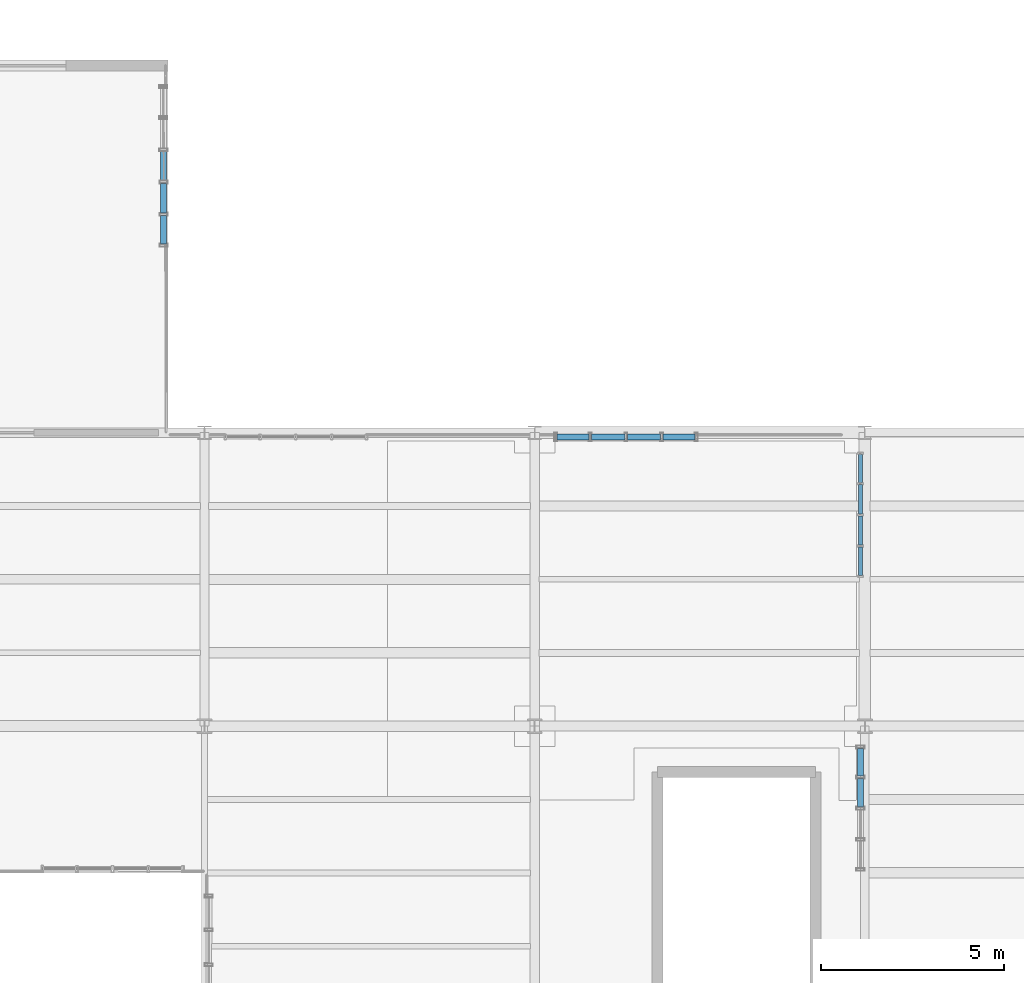
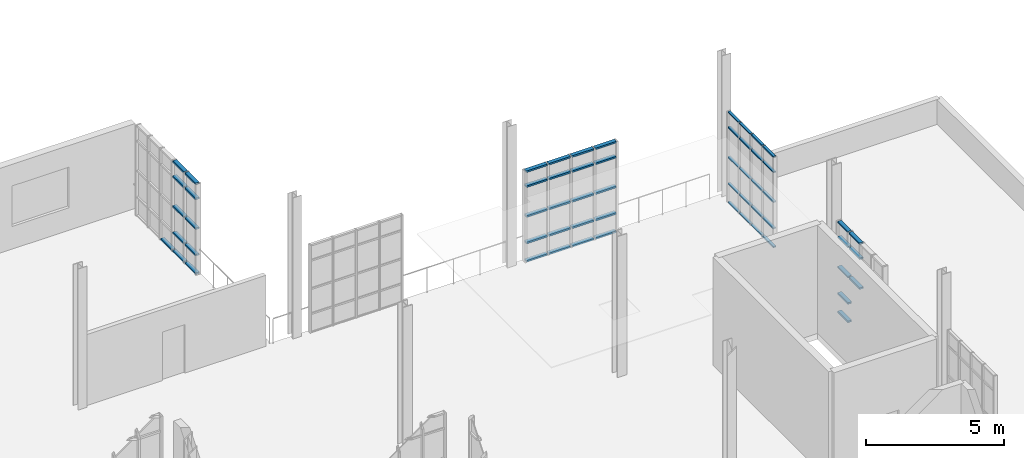
# One storey, part 82 of 118: 59 members, 4 elements without a shape of their own.
"""IFC4 building model written with IfcOpenShell, lengths in metres."""

from ifc_helpers import new_model, si_unit, direction, frame, origin, origin_2d, place, context, subcontext, project, spatial, hollow_rectangle, extrude, material, layer, layer_set, material_profile, profile_set, type_object, element, aggregate, save


model = new_model("IFC4")

# Units and contexts
model_context = context("Model", 3, precision=1e-05, world=origin(), true_north=direction((0.0, 1.0)))
body_context = subcontext(model_context, "Body", "Model", "MODEL_VIEW")
ifc_project = project(units=[si_unit("LENGTHUNIT", "METRE"), si_unit("AREAUNIT", "SQUARE_METRE"), si_unit("VOLUMEUNIT", "CUBIC_METRE"), si_unit("PLANEANGLEUNIT", "RADIAN"), si_unit("MASSUNIT", "GRAM", prefix="KILO"), si_unit("THERMODYNAMICTEMPERATUREUNIT", "KELVIN"), si_unit("POWERUNIT", "WATT")], contexts=[model_context])

# Site, building, storey
site_placement = place(None, origin())
site = spatial("IfcSite", under=ifc_project, at=site_placement, CompositionType="ELEMENT")
building_placement = place(site_placement, origin())
building = spatial("IfcBuilding", under=site, at=building_placement, Name="Zelmaris Science Centre", CompositionType="ELEMENT")
storey_placement = place(building_placement, frame((0.0, 0.0, 15.60009765625)))
storey = spatial("IfcBuildingStorey", under=building, at=storey_placement, Name="L03", CompositionType="ELEMENT", Elevation=15.60009765625)

# Curtain wall, members
ifc_material = material(Name="Anodised architectural aluminium 6063-T6", Category="aluminium")
ifc_layer_1 = layer(ifc_material, 0.219970703125, Name="Anodised architectural aluminium 6063-T6")
ifc_layer_set_1 = layer_set([ifc_layer_1], Name="Anodised architectural aluminium 6063-T6")
curtain_wall_type_1 = type_object("IfcCurtainWallType", Name="Curtain Wall CW-04", PredefinedType="USERDEFINED", material=ifc_layer_set_1)
curtain_wall_1_placement = place(storey_placement, origin())
curtain_wall_1 = element("IfcCurtainWall", 1, at=curtain_wall_1_placement, inside=storey, type_object=curtain_wall_type_1, Name="L03 Unitised curtain wall 296", ObjectType="GLAZED CURTAIN WALL", PredefinedType="USERDEFINED")
ifc_material_profile_1 = material_profile(ifc_material, hollow_rectangle(XDim=0.06005859375, YDim=0.110107421875, WallThickness=0.0029296875, at=origin_2d()), Name="ALU-TRN-60X110")
ifc_profile_set_1 = profile_set([ifc_material_profile_1], Name="Anodised architectural aluminium 6063-T6")
member_type_1 = type_object("IfcMemberType", Name="ALU-TRN-60X110", PredefinedType="USERDEFINED", material=ifc_profile_set_1)
member_1_placement = place(storey_placement, frame((134.8798828125, 55.407958984375, 0.010986328125), z_axis=(0.0, -1.0, 0.0), x_axis=(0.0, 0.0, 1.0)))
member_1 = element("IfcMember", 2, at=member_1_placement, type_object=member_type_1, Name="CW-04 transom 1.1", ObjectType="TRANSOM", PredefinedType="USERDEFINED", context=body_context, shape_type="SweptSolid", body=[
    extrude(hollow_rectangle(XDim=0.06005859375, YDim=0.110107421875, WallThickness=0.0029296875, at=origin_2d()), origin(), (0.0, 0.0, 1.0), 0.77197265625),
])
member_2_placement = place(storey_placement, frame((134.8798828125, 55.407958984375, 0.8349609375), z_axis=(0.0, -1.0, 0.0), x_axis=(0.0, 0.0, 1.0)))
member_2 = element("IfcMember", 3, at=member_2_placement, type_object=member_type_1, Name="CW-04 transom 1.2", ObjectType="TRANSOM", PredefinedType="USERDEFINED", context=body_context, shape_type="SweptSolid", body=[
    extrude(hollow_rectangle(XDim=0.06005859375, YDim=0.110107421875, WallThickness=0.0029296875, at=origin_2d()), origin(), (0.0, 0.0, 1.0), 0.77197265625),
])
member_3_placement = place(storey_placement, frame((134.8798828125, 55.407958984375, 2.00732421875), z_axis=(0.0, -1.0, 0.0), x_axis=(0.0, 0.0, 1.0)))
member_3 = element("IfcMember", 4, at=member_3_placement, type_object=member_type_1, Name="CW-04 transom 1.3", ObjectType="TRANSOM", PredefinedType="USERDEFINED", context=body_context, shape_type="SweptSolid", body=[
    extrude(hollow_rectangle(XDim=0.06005859375, YDim=0.110107421875, WallThickness=0.0029296875, at=origin_2d()), origin(), (0.0, 0.0, 1.0), 0.77197265625),
])
member_4_placement = place(storey_placement, frame((134.8798828125, 55.407958984375, 3.329833984375), z_axis=(0.0, -1.0, 0.0), x_axis=(0.0, 0.0, 1.0)))
member_4 = element("IfcMember", 5, at=member_4_placement, type_object=member_type_1, Name="CW-04 transom 1.4", ObjectType="TRANSOM", PredefinedType="USERDEFINED", context=body_context, shape_type="SweptSolid", body=[
    extrude(hollow_rectangle(XDim=0.06005859375, YDim=0.110107421875, WallThickness=0.0029296875, at=origin_2d()), origin(), (0.0, 0.0, 1.0), 0.77197265625),
])
member_5_placement = place(storey_placement, frame((134.8798828125, 55.407958984375, 4.00390625), z_axis=(0.0, -1.0, 0.0), x_axis=(0.0, 0.0, 1.0)))
member_5 = element("IfcMember", 6, at=member_5_placement, type_object=member_type_1, Name="CW-04 transom 1.5", ObjectType="TRANSOM", PredefinedType="USERDEFINED", context=body_context, shape_type="SweptSolid", body=[
    extrude(hollow_rectangle(XDim=0.06005859375, YDim=0.110107421875, WallThickness=0.0029296875, at=origin_2d()), origin(), (0.0, 0.0, 1.0), 0.77197265625),
])
member_6_placement = place(storey_placement, frame((134.8798828125, 54.583984375, 0.010986328125), z_axis=(0.0, -1.0, 0.0), x_axis=(0.0, 0.0, 1.0)))
member_6 = element("IfcMember", 7, at=member_6_placement, type_object=member_type_1, Name="CW-04 transom 2.1", ObjectType="TRANSOM", PredefinedType="USERDEFINED", context=body_context, shape_type="SweptSolid", body=[
    extrude(hollow_rectangle(XDim=0.06005859375, YDim=0.110107421875, WallThickness=0.0029296875, at=origin_2d()), origin(), (0.0, 0.0, 1.0), 0.798095703125),
])
member_7_placement = place(storey_placement, frame((134.8798828125, 54.583984375, 0.8349609375), z_axis=(0.0, -1.0, 0.0), x_axis=(0.0, 0.0, 1.0)))
member_7 = element("IfcMember", 8, at=member_7_placement, type_object=member_type_1, Name="CW-04 transom 2.2", ObjectType="TRANSOM", PredefinedType="USERDEFINED", context=body_context, shape_type="SweptSolid", body=[
    extrude(hollow_rectangle(XDim=0.06005859375, YDim=0.110107421875, WallThickness=0.0029296875, at=origin_2d()), origin(), (0.0, 0.0, 1.0), 0.798095703125),
])
member_8_placement = place(storey_placement, frame((134.8798828125, 54.583984375, 2.00732421875), z_axis=(0.0, -1.0, 0.0), x_axis=(0.0, 0.0, 1.0)))
member_8 = element("IfcMember", 9, at=member_8_placement, type_object=member_type_1, Name="CW-04 transom 2.3", ObjectType="TRANSOM", PredefinedType="USERDEFINED", context=body_context, shape_type="SweptSolid", body=[
    extrude(hollow_rectangle(XDim=0.06005859375, YDim=0.110107421875, WallThickness=0.0029296875, at=origin_2d()), origin(), (0.0, 0.0, 1.0), 0.798095703125),
])
member_9_placement = place(storey_placement, frame((134.8798828125, 54.583984375, 3.329833984375), z_axis=(0.0, -1.0, 0.0), x_axis=(0.0, 0.0, 1.0)))
member_9 = element("IfcMember", 10, at=member_9_placement, type_object=member_type_1, Name="CW-04 transom 2.4", ObjectType="TRANSOM", PredefinedType="USERDEFINED", context=body_context, shape_type="SweptSolid", body=[
    extrude(hollow_rectangle(XDim=0.06005859375, YDim=0.110107421875, WallThickness=0.0029296875, at=origin_2d()), origin(), (0.0, 0.0, 1.0), 0.798095703125),
])
member_10_placement = place(storey_placement, frame((134.8798828125, 54.583984375, 4.00390625), z_axis=(0.0, -1.0, 0.0), x_axis=(0.0, 0.0, 1.0)))
member_10 = element("IfcMember", 11, at=member_10_placement, type_object=member_type_1, Name="CW-04 transom 2.5", ObjectType="TRANSOM", PredefinedType="USERDEFINED", context=body_context, shape_type="SweptSolid", body=[
    extrude(hollow_rectangle(XDim=0.06005859375, YDim=0.110107421875, WallThickness=0.0029296875, at=origin_2d()), origin(), (0.0, 0.0, 1.0), 0.798095703125),
])
member_11_placement = place(storey_placement, frame((134.8798828125, 53.73388671875, 0.010986328125), z_axis=(0.0, -1.0, 0.0), x_axis=(0.0, 0.0, 1.0)))
member_11 = element("IfcMember", 12, at=member_11_placement, type_object=member_type_1, Name="CW-04 transom 3.1", ObjectType="TRANSOM", PredefinedType="USERDEFINED", context=body_context, shape_type="SweptSolid", body=[
    extrude(hollow_rectangle(XDim=0.06005859375, YDim=0.110107421875, WallThickness=0.0029296875, at=origin_2d()), origin(), (0.0, 0.0, 1.0), 0.7978515625),
])
member_12_placement = place(storey_placement, frame((134.8798828125, 53.73388671875, 0.8349609375), z_axis=(0.0, -1.0, 0.0), x_axis=(0.0, 0.0, 1.0)))
member_12 = element("IfcMember", 13, at=member_12_placement, type_object=member_type_1, Name="CW-04 transom 3.2", ObjectType="TRANSOM", PredefinedType="USERDEFINED", context=body_context, shape_type="SweptSolid", body=[
    extrude(hollow_rectangle(XDim=0.06005859375, YDim=0.110107421875, WallThickness=0.0029296875, at=origin_2d()), origin(), (0.0, 0.0, 1.0), 0.7978515625),
])
member_13_placement = place(storey_placement, frame((134.8798828125, 53.73388671875, 2.00732421875), z_axis=(0.0, -1.0, 0.0), x_axis=(0.0, 0.0, 1.0)))
member_13 = element("IfcMember", 14, at=member_13_placement, type_object=member_type_1, Name="CW-04 transom 3.3", ObjectType="TRANSOM", PredefinedType="USERDEFINED", context=body_context, shape_type="SweptSolid", body=[
    extrude(hollow_rectangle(XDim=0.06005859375, YDim=0.110107421875, WallThickness=0.0029296875, at=origin_2d()), origin(), (0.0, 0.0, 1.0), 0.7978515625),
])
member_14_placement = place(storey_placement, frame((134.8798828125, 53.73388671875, 3.329833984375), z_axis=(0.0, -1.0, 0.0), x_axis=(0.0, 0.0, 1.0)))
member_14 = element("IfcMember", 15, at=member_14_placement, type_object=member_type_1, Name="CW-04 transom 3.4", ObjectType="TRANSOM", PredefinedType="USERDEFINED", context=body_context, shape_type="SweptSolid", body=[
    extrude(hollow_rectangle(XDim=0.06005859375, YDim=0.110107421875, WallThickness=0.0029296875, at=origin_2d()), origin(), (0.0, 0.0, 1.0), 0.7978515625),
])
member_15_placement = place(storey_placement, frame((134.8798828125, 53.73388671875, 4.00390625), z_axis=(0.0, -1.0, 0.0), x_axis=(0.0, 0.0, 1.0)))
member_15 = element("IfcMember", 16, at=member_15_placement, type_object=member_type_1, Name="CW-04 transom 3.5", ObjectType="TRANSOM", PredefinedType="USERDEFINED", context=body_context, shape_type="SweptSolid", body=[
    extrude(hollow_rectangle(XDim=0.06005859375, YDim=0.110107421875, WallThickness=0.0029296875, at=origin_2d()), origin(), (0.0, 0.0, 1.0), 0.7978515625),
])
member_16_placement = place(storey_placement, frame((134.8798828125, 52.884033203125, 0.010986328125), z_axis=(0.0, -1.0, 0.0), x_axis=(0.0, 0.0, 1.0)))
member_16 = element("IfcMember", 17, at=member_16_placement, type_object=member_type_1, Name="CW-04 transom 4.1", ObjectType="TRANSOM", PredefinedType="USERDEFINED", context=body_context, shape_type="SweptSolid", body=[
    extrude(hollow_rectangle(XDim=0.06005859375, YDim=0.110107421875, WallThickness=0.0029296875, at=origin_2d()), origin(), (0.0, 0.0, 1.0), 0.77197265625),
])
member_17_placement = place(storey_placement, frame((134.8798828125, 52.884033203125, 0.8349609375), z_axis=(0.0, -1.0, 0.0), x_axis=(0.0, 0.0, 1.0)))
member_17 = element("IfcMember", 18, at=member_17_placement, type_object=member_type_1, Name="CW-04 transom 4.2", ObjectType="TRANSOM", PredefinedType="USERDEFINED", context=body_context, shape_type="SweptSolid", body=[
    extrude(hollow_rectangle(XDim=0.06005859375, YDim=0.110107421875, WallThickness=0.0029296875, at=origin_2d()), origin(), (0.0, 0.0, 1.0), 0.77197265625),
])
member_18_placement = place(storey_placement, frame((134.8798828125, 52.884033203125, 2.00732421875), z_axis=(0.0, -1.0, 0.0), x_axis=(0.0, 0.0, 1.0)))
member_18 = element("IfcMember", 19, at=member_18_placement, type_object=member_type_1, Name="CW-04 transom 4.3", ObjectType="TRANSOM", PredefinedType="USERDEFINED", context=body_context, shape_type="SweptSolid", body=[
    extrude(hollow_rectangle(XDim=0.06005859375, YDim=0.110107421875, WallThickness=0.0029296875, at=origin_2d()), origin(), (0.0, 0.0, 1.0), 0.77197265625),
])
member_19_placement = place(storey_placement, frame((134.8798828125, 52.884033203125, 3.329833984375), z_axis=(0.0, -1.0, 0.0), x_axis=(0.0, 0.0, 1.0)))
member_19 = element("IfcMember", 20, at=member_19_placement, type_object=member_type_1, Name="CW-04 transom 4.4", ObjectType="TRANSOM", PredefinedType="USERDEFINED", context=body_context, shape_type="SweptSolid", body=[
    extrude(hollow_rectangle(XDim=0.06005859375, YDim=0.110107421875, WallThickness=0.0029296875, at=origin_2d()), origin(), (0.0, 0.0, 1.0), 0.77197265625),
])
member_20_placement = place(storey_placement, frame((134.8798828125, 52.884033203125, 4.00390625), z_axis=(0.0, -1.0, 0.0), x_axis=(0.0, 0.0, 1.0)))
member_20 = element("IfcMember", 21, at=member_20_placement, type_object=member_type_1, Name="CW-04 transom 4.5", ObjectType="TRANSOM", PredefinedType="USERDEFINED", context=body_context, shape_type="SweptSolid", body=[
    extrude(hollow_rectangle(XDim=0.06005859375, YDim=0.110107421875, WallThickness=0.0029296875, at=origin_2d()), origin(), (0.0, 0.0, 1.0), 0.77197265625),
])
aggregate(curtain_wall_1, [member_1, member_2, member_3, member_4, member_5, member_6, member_7, member_8, member_9, member_10, member_11, member_12, member_13, member_14, member_15, member_16, member_17, member_18, member_19, member_20])

ifc_layer_2 = layer(ifc_material, 0.199951171875, Name="Anodised architectural aluminium 6063-T6")
ifc_layer_set_2 = layer_set([ifc_layer_2], Name="Anodised architectural aluminium 6063-T6")
curtain_wall_type_2 = type_object("IfcCurtainWallType", Name="Curtain Wall CW-02", PredefinedType="USERDEFINED", material=ifc_layer_set_2)
curtain_wall_2_placement = place(storey_placement, origin())
curtain_wall_2 = element("IfcCurtainWall", 22, at=curtain_wall_2_placement, inside=storey, type_object=curtain_wall_type_2, Name="L03 Unitised curtain wall 290", ObjectType="GLAZED CURTAIN WALL", PredefinedType="USERDEFINED")
ifc_material_profile_2 = material_profile(ifc_material, hollow_rectangle(XDim=0.074951171875, YDim=0.159912109375, WallThickness=0.00390625, at=origin_2d()), Name="ALU-TRN-75X160")
ifc_profile_set_2 = profile_set([ifc_material_profile_2], Name="Anodised architectural aluminium 6063-T6")
member_type_2 = type_object("IfcMemberType", Name="ALU-TRN-75X160", PredefinedType="USERDEFINED", material=ifc_profile_set_2)
member_21_placement = place(storey_placement, frame((115.883056640625, 63.670654296875, 0.018310546875), z_axis=(0.001505568905, -0.99999886663, 0.0), x_axis=(0.0, 0.0, 1.0)))
member_21 = element("IfcMember", 23, at=member_21_placement, type_object=member_type_2, Name="CW-02 transom 3.1", ObjectType="TRANSOM", PredefinedType="USERDEFINED", context=body_context, shape_type="SweptSolid", body=[
    extrude(hollow_rectangle(XDim=0.074951171875, YDim=0.159912109375, WallThickness=0.00390625, at=origin_2d()), origin(), (0.0, 0.0, 1.0), 0.810791015625),
])
member_22_placement = place(storey_placement, frame((115.88427734375, 62.792724609375, 0.018310546875), z_axis=(0.001505568905, -0.99999886663, 0.0), x_axis=(0.0, 0.0, 1.0)))
member_22 = element("IfcMember", 24, at=member_22_placement, type_object=member_type_2, Name="CW-02 transom 4.1", ObjectType="TRANSOM", PredefinedType="USERDEFINED", context=body_context, shape_type="SweptSolid", body=[
    extrude(hollow_rectangle(XDim=0.074951171875, YDim=0.159912109375, WallThickness=0.00390625, at=origin_2d()), origin(), (0.0, 0.0, 1.0), 0.810791015625),
])
member_23_placement = place(storey_placement, frame((115.88427734375, 62.792724609375, 0.8349609375), z_axis=(0.001505568905, -0.99999886663, 0.0), x_axis=(0.0, 0.0, 1.0)))
member_23 = element("IfcMember", 25, at=member_23_placement, type_object=member_type_2, Name="CW-02 transom 4.2", ObjectType="TRANSOM", PredefinedType="USERDEFINED", context=body_context, shape_type="SweptSolid", body=[
    extrude(hollow_rectangle(XDim=0.074951171875, YDim=0.159912109375, WallThickness=0.00390625, at=origin_2d()), origin(), (0.0, 0.0, 1.0), 0.810791015625),
])
member_24_placement = place(storey_placement, frame((115.88427734375, 62.792724609375, 2.00732421875), z_axis=(0.001505568905, -0.99999886663, 0.0), x_axis=(0.0, 0.0, 1.0)))
member_24 = element("IfcMember", 26, at=member_24_placement, type_object=member_type_2, Name="CW-02 transom 4.3", ObjectType="TRANSOM", PredefinedType="USERDEFINED", context=body_context, shape_type="SweptSolid", body=[
    extrude(hollow_rectangle(XDim=0.074951171875, YDim=0.159912109375, WallThickness=0.00390625, at=origin_2d()), origin(), (0.0, 0.0, 1.0), 0.810791015625),
])
member_25_placement = place(storey_placement, frame((115.88427734375, 62.792724609375, 3.329833984375), z_axis=(0.001505568905, -0.99999886663, 0.0), x_axis=(0.0, 0.0, 1.0)))
member_25 = element("IfcMember", 27, at=member_25_placement, type_object=member_type_2, Name="CW-02 transom 4.4", ObjectType="TRANSOM", PredefinedType="USERDEFINED", context=body_context, shape_type="SweptSolid", body=[
    extrude(hollow_rectangle(XDim=0.074951171875, YDim=0.159912109375, WallThickness=0.00390625, at=origin_2d()), origin(), (0.0, 0.0, 1.0), 0.810791015625),
])
member_26_placement = place(storey_placement, frame((115.88427734375, 62.792724609375, 3.996337890625), z_axis=(0.001505568905, -0.99999886663, 0.0), x_axis=(0.0, 0.0, 1.0)))
member_26 = element("IfcMember", 28, at=member_26_placement, type_object=member_type_2, Name="CW-02 transom 4.5", ObjectType="TRANSOM", PredefinedType="USERDEFINED", context=body_context, shape_type="SweptSolid", body=[
    extrude(hollow_rectangle(XDim=0.074951171875, YDim=0.159912109375, WallThickness=0.00390625, at=origin_2d()), origin(), (0.0, 0.0, 1.0), 0.810791015625),
])
member_27_placement = place(storey_placement, frame((115.885498046875, 61.9150390625, 0.018310546875), z_axis=(0.001570349823, -0.999998767, 0.0), x_axis=(0.0, 0.0, 1.0)))
member_27 = element("IfcMember", 29, at=member_27_placement, type_object=member_type_2, Name="CW-02 transom 5.1", ObjectType="TRANSOM", PredefinedType="USERDEFINED", context=body_context, shape_type="SweptSolid", body=[
    extrude(hollow_rectangle(XDim=0.074951171875, YDim=0.159912109375, WallThickness=0.00390625, at=origin_2d()), origin(), (0.0, 0.0, 1.0), 0.77734375),
])
member_28_placement = place(storey_placement, frame((115.885498046875, 61.9150390625, 0.8349609375), z_axis=(0.001570349823, -0.999998767, 0.0), x_axis=(0.0, 0.0, 1.0)))
member_28 = element("IfcMember", 30, at=member_28_placement, type_object=member_type_2, Name="CW-02 transom 5.2", ObjectType="TRANSOM", PredefinedType="USERDEFINED", context=body_context, shape_type="SweptSolid", body=[
    extrude(hollow_rectangle(XDim=0.074951171875, YDim=0.159912109375, WallThickness=0.00390625, at=origin_2d()), origin(), (0.0, 0.0, 1.0), 0.77734375),
])
member_29_placement = place(storey_placement, frame((115.885498046875, 61.9150390625, 2.00732421875), z_axis=(0.001570349823, -0.999998767, 0.0), x_axis=(0.0, 0.0, 1.0)))
member_29 = element("IfcMember", 31, at=member_29_placement, type_object=member_type_2, Name="CW-02 transom 5.3", ObjectType="TRANSOM", PredefinedType="USERDEFINED", context=body_context, shape_type="SweptSolid", body=[
    extrude(hollow_rectangle(XDim=0.074951171875, YDim=0.159912109375, WallThickness=0.00390625, at=origin_2d()), origin(), (0.0, 0.0, 1.0), 0.77734375),
])
member_30_placement = place(storey_placement, frame((115.885498046875, 61.9150390625, 3.329833984375), z_axis=(0.001570349823, -0.999998767, 0.0), x_axis=(0.0, 0.0, 1.0)))
member_30 = element("IfcMember", 32, at=member_30_placement, type_object=member_type_2, Name="CW-02 transom 5.4", ObjectType="TRANSOM", PredefinedType="USERDEFINED", context=body_context, shape_type="SweptSolid", body=[
    extrude(hollow_rectangle(XDim=0.074951171875, YDim=0.159912109375, WallThickness=0.00390625, at=origin_2d()), origin(), (0.0, 0.0, 1.0), 0.77734375),
])
member_31_placement = place(storey_placement, frame((115.885498046875, 61.9150390625, 3.996337890625), z_axis=(0.001570349823, -0.999998767, 0.0), x_axis=(0.0, 0.0, 1.0)))
member_31 = element("IfcMember", 33, at=member_31_placement, type_object=member_type_2, Name="CW-02 transom 5.5", ObjectType="TRANSOM", PredefinedType="USERDEFINED", context=body_context, shape_type="SweptSolid", body=[
    extrude(hollow_rectangle(XDim=0.074951171875, YDim=0.159912109375, WallThickness=0.00390625, at=origin_2d()), origin(), (0.0, 0.0, 1.0), 0.77734375),
])
aggregate(curtain_wall_2, [member_21, member_22, member_23, member_24, member_25, member_26, member_27, member_28, member_29, member_30, member_31])

curtain_wall_3_placement = place(storey_placement, origin())
curtain_wall_3 = element("IfcCurtainWall", 34, at=curtain_wall_3_placement, inside=storey, type_object=curtain_wall_type_2, Name="L03 Unitised curtain wall 294", ObjectType="GLAZED CURTAIN WALL", PredefinedType="USERDEFINED")
member_32_placement = place(storey_placement, frame((126.60693359375, 55.8798828125, 0.018310546875), z_axis=(1.0, 0.0, 0.0), x_axis=(0.0, 0.0, 1.0)))
member_32 = element("IfcMember", 35, at=member_32_placement, type_object=member_type_2, Name="CW-02 transom 1.1", ObjectType="TRANSOM", PredefinedType="USERDEFINED", context=body_context, shape_type="SweptSolid", body=[
    extrude(hollow_rectangle(XDim=0.074951171875, YDim=0.159912109375, WallThickness=0.00390625, at=origin_2d()), origin(), (0.0, 0.0, 1.0), 0.87451171875),
])
member_33_placement = place(storey_placement, frame((126.60693359375, 55.8798828125, 0.8349609375), z_axis=(1.0, 0.0, 0.0), x_axis=(0.0, 0.0, 1.0)))
member_33 = element("IfcMember", 36, at=member_33_placement, type_object=member_type_2, Name="CW-02 transom 1.2", ObjectType="TRANSOM", PredefinedType="USERDEFINED", context=body_context, shape_type="SweptSolid", body=[
    extrude(hollow_rectangle(XDim=0.074951171875, YDim=0.159912109375, WallThickness=0.00390625, at=origin_2d()), origin(), (0.0, 0.0, 1.0), 0.87451171875),
])
member_34_placement = place(storey_placement, frame((126.60693359375, 55.8798828125, 2.00732421875), z_axis=(1.0, 0.0, 0.0), x_axis=(0.0, 0.0, 1.0)))
member_34 = element("IfcMember", 37, at=member_34_placement, type_object=member_type_2, Name="CW-02 transom 1.3", ObjectType="TRANSOM", PredefinedType="USERDEFINED", context=body_context, shape_type="SweptSolid", body=[
    extrude(hollow_rectangle(XDim=0.074951171875, YDim=0.159912109375, WallThickness=0.00390625, at=origin_2d()), origin(), (0.0, 0.0, 1.0), 0.87451171875),
])
member_35_placement = place(storey_placement, frame((126.60693359375, 55.8798828125, 3.329833984375), z_axis=(1.0, 0.0, 0.0), x_axis=(0.0, 0.0, 1.0)))
member_35 = element("IfcMember", 38, at=member_35_placement, type_object=member_type_2, Name="CW-02 transom 1.4", ObjectType="TRANSOM", PredefinedType="USERDEFINED", context=body_context, shape_type="SweptSolid", body=[
    extrude(hollow_rectangle(XDim=0.074951171875, YDim=0.159912109375, WallThickness=0.00390625, at=origin_2d()), origin(), (0.0, 0.0, 1.0), 0.87451171875),
])
member_36_placement = place(storey_placement, frame((126.60693359375, 55.8798828125, 3.996337890625), z_axis=(1.0, 0.0, 0.0), x_axis=(0.0, 0.0, 1.0)))
member_36 = element("IfcMember", 39, at=member_36_placement, type_object=member_type_2, Name="CW-02 transom 1.5", ObjectType="TRANSOM", PredefinedType="USERDEFINED", context=body_context, shape_type="SweptSolid", body=[
    extrude(hollow_rectangle(XDim=0.074951171875, YDim=0.159912109375, WallThickness=0.00390625, at=origin_2d()), origin(), (0.0, 0.0, 1.0), 0.87451171875),
])
member_37_placement = place(storey_placement, frame((127.548583984375, 55.8798828125, 0.018310546875), z_axis=(1.0, 0.0, 0.0), x_axis=(0.0, 0.0, 1.0)))
member_37 = element("IfcMember", 40, at=member_37_placement, type_object=member_type_2, Name="CW-02 transom 2.1", ObjectType="TRANSOM", PredefinedType="USERDEFINED", context=body_context, shape_type="SweptSolid", body=[
    extrude(hollow_rectangle(XDim=0.074951171875, YDim=0.159912109375, WallThickness=0.00390625, at=origin_2d()), origin(), (0.0, 0.0, 1.0), 0.907958984375),
])
member_38_placement = place(storey_placement, frame((127.548583984375, 55.8798828125, 0.8349609375), z_axis=(1.0, 0.0, 0.0), x_axis=(0.0, 0.0, 1.0)))
member_38 = element("IfcMember", 41, at=member_38_placement, type_object=member_type_2, Name="CW-02 transom 2.2", ObjectType="TRANSOM", PredefinedType="USERDEFINED", context=body_context, shape_type="SweptSolid", body=[
    extrude(hollow_rectangle(XDim=0.074951171875, YDim=0.159912109375, WallThickness=0.00390625, at=origin_2d()), origin(), (0.0, 0.0, 1.0), 0.907958984375),
])
member_39_placement = place(storey_placement, frame((127.548583984375, 55.8798828125, 2.00732421875), z_axis=(1.0, 0.0, 0.0), x_axis=(0.0, 0.0, 1.0)))
member_39 = element("IfcMember", 42, at=member_39_placement, type_object=member_type_2, Name="CW-02 transom 2.3", ObjectType="TRANSOM", PredefinedType="USERDEFINED", context=body_context, shape_type="SweptSolid", body=[
    extrude(hollow_rectangle(XDim=0.074951171875, YDim=0.159912109375, WallThickness=0.00390625, at=origin_2d()), origin(), (0.0, 0.0, 1.0), 0.907958984375),
])
member_40_placement = place(storey_placement, frame((127.548583984375, 55.8798828125, 3.329833984375), z_axis=(1.0, 0.0, 0.0), x_axis=(0.0, 0.0, 1.0)))
member_40 = element("IfcMember", 43, at=member_40_placement, type_object=member_type_2, Name="CW-02 transom 2.4", ObjectType="TRANSOM", PredefinedType="USERDEFINED", context=body_context, shape_type="SweptSolid", body=[
    extrude(hollow_rectangle(XDim=0.074951171875, YDim=0.159912109375, WallThickness=0.00390625, at=origin_2d()), origin(), (0.0, 0.0, 1.0), 0.907958984375),
])
member_41_placement = place(storey_placement, frame((127.548583984375, 55.8798828125, 3.996337890625), z_axis=(1.0, 0.0, 0.0), x_axis=(0.0, 0.0, 1.0)))
member_41 = element("IfcMember", 44, at=member_41_placement, type_object=member_type_2, Name="CW-02 transom 2.5", ObjectType="TRANSOM", PredefinedType="USERDEFINED", context=body_context, shape_type="SweptSolid", body=[
    extrude(hollow_rectangle(XDim=0.074951171875, YDim=0.159912109375, WallThickness=0.00390625, at=origin_2d()), origin(), (0.0, 0.0, 1.0), 0.907958984375),
])
member_42_placement = place(storey_placement, frame((128.5234375, 55.8798828125, 0.018310546875), z_axis=(1.0, 0.0, 0.0), x_axis=(0.0, 0.0, 1.0)))
member_42 = element("IfcMember", 45, at=member_42_placement, type_object=member_type_2, Name="CW-02 transom 3.1", ObjectType="TRANSOM", PredefinedType="USERDEFINED", context=body_context, shape_type="SweptSolid", body=[
    extrude(hollow_rectangle(XDim=0.074951171875, YDim=0.159912109375, WallThickness=0.00390625, at=origin_2d()), origin(), (0.0, 0.0, 1.0), 0.907958984375),
])
member_43_placement = place(storey_placement, frame((128.5234375, 55.8798828125, 0.8349609375), z_axis=(1.0, 0.0, 0.0), x_axis=(0.0, 0.0, 1.0)))
member_43 = element("IfcMember", 46, at=member_43_placement, type_object=member_type_2, Name="CW-02 transom 3.2", ObjectType="TRANSOM", PredefinedType="USERDEFINED", context=body_context, shape_type="SweptSolid", body=[
    extrude(hollow_rectangle(XDim=0.074951171875, YDim=0.159912109375, WallThickness=0.00390625, at=origin_2d()), origin(), (0.0, 0.0, 1.0), 0.907958984375),
])
member_44_placement = place(storey_placement, frame((128.5234375, 55.8798828125, 2.00732421875), z_axis=(1.0, 0.0, 0.0), x_axis=(0.0, 0.0, 1.0)))
member_44 = element("IfcMember", 47, at=member_44_placement, type_object=member_type_2, Name="CW-02 transom 3.3", ObjectType="TRANSOM", PredefinedType="USERDEFINED", context=body_context, shape_type="SweptSolid", body=[
    extrude(hollow_rectangle(XDim=0.074951171875, YDim=0.159912109375, WallThickness=0.00390625, at=origin_2d()), origin(), (0.0, 0.0, 1.0), 0.907958984375),
])
member_45_placement = place(storey_placement, frame((128.5234375, 55.8798828125, 3.329833984375), z_axis=(1.0, 0.0, 0.0), x_axis=(0.0, 0.0, 1.0)))
member_45 = element("IfcMember", 48, at=member_45_placement, type_object=member_type_2, Name="CW-02 transom 3.4", ObjectType="TRANSOM", PredefinedType="USERDEFINED", context=body_context, shape_type="SweptSolid", body=[
    extrude(hollow_rectangle(XDim=0.074951171875, YDim=0.159912109375, WallThickness=0.00390625, at=origin_2d()), origin(), (0.0, 0.0, 1.0), 0.907958984375),
])
member_46_placement = place(storey_placement, frame((128.5234375, 55.8798828125, 3.996337890625), z_axis=(1.0, 0.0, 0.0), x_axis=(0.0, 0.0, 1.0)))
member_46 = element("IfcMember", 49, at=member_46_placement, type_object=member_type_2, Name="CW-02 transom 3.5", ObjectType="TRANSOM", PredefinedType="USERDEFINED", context=body_context, shape_type="SweptSolid", body=[
    extrude(hollow_rectangle(XDim=0.074951171875, YDim=0.159912109375, WallThickness=0.00390625, at=origin_2d()), origin(), (0.0, 0.0, 1.0), 0.907958984375),
])
member_47_placement = place(storey_placement, frame((129.49853515625, 55.8798828125, 0.018310546875), z_axis=(1.0, 0.0, 0.0), x_axis=(0.0, 0.0, 1.0)))
member_47 = element("IfcMember", 50, at=member_47_placement, type_object=member_type_2, Name="CW-02 transom 4.1", ObjectType="TRANSOM", PredefinedType="USERDEFINED", context=body_context, shape_type="SweptSolid", body=[
    extrude(hollow_rectangle(XDim=0.074951171875, YDim=0.159912109375, WallThickness=0.00390625, at=origin_2d()), origin(), (0.0, 0.0, 1.0), 0.87451171875),
])
member_48_placement = place(storey_placement, frame((129.49853515625, 55.8798828125, 0.8349609375), z_axis=(1.0, 0.0, 0.0), x_axis=(0.0, 0.0, 1.0)))
member_48 = element("IfcMember", 51, at=member_48_placement, type_object=member_type_2, Name="CW-02 transom 4.2", ObjectType="TRANSOM", PredefinedType="USERDEFINED", context=body_context, shape_type="SweptSolid", body=[
    extrude(hollow_rectangle(XDim=0.074951171875, YDim=0.159912109375, WallThickness=0.00390625, at=origin_2d()), origin(), (0.0, 0.0, 1.0), 0.87451171875),
])
member_49_placement = place(storey_placement, frame((129.49853515625, 55.8798828125, 2.00732421875), z_axis=(1.0, 0.0, 0.0), x_axis=(0.0, 0.0, 1.0)))
member_49 = element("IfcMember", 52, at=member_49_placement, type_object=member_type_2, Name="CW-02 transom 4.3", ObjectType="TRANSOM", PredefinedType="USERDEFINED", context=body_context, shape_type="SweptSolid", body=[
    extrude(hollow_rectangle(XDim=0.074951171875, YDim=0.159912109375, WallThickness=0.00390625, at=origin_2d()), origin(), (0.0, 0.0, 1.0), 0.87451171875),
])
member_50_placement = place(storey_placement, frame((129.49853515625, 55.8798828125, 3.329833984375), z_axis=(1.0, 0.0, 0.0), x_axis=(0.0, 0.0, 1.0)))
member_50 = element("IfcMember", 53, at=member_50_placement, type_object=member_type_2, Name="CW-02 transom 4.4", ObjectType="TRANSOM", PredefinedType="USERDEFINED", context=body_context, shape_type="SweptSolid", body=[
    extrude(hollow_rectangle(XDim=0.074951171875, YDim=0.159912109375, WallThickness=0.00390625, at=origin_2d()), origin(), (0.0, 0.0, 1.0), 0.87451171875),
])
member_51_placement = place(storey_placement, frame((129.49853515625, 55.8798828125, 3.996337890625), z_axis=(1.0, 0.0, 0.0), x_axis=(0.0, 0.0, 1.0)))
member_51 = element("IfcMember", 54, at=member_51_placement, type_object=member_type_2, Name="CW-02 transom 4.5", ObjectType="TRANSOM", PredefinedType="USERDEFINED", context=body_context, shape_type="SweptSolid", body=[
    extrude(hollow_rectangle(XDim=0.074951171875, YDim=0.159912109375, WallThickness=0.00390625, at=origin_2d()), origin(), (0.0, 0.0, 1.0), 0.87451171875),
])
aggregate(curtain_wall_3, [member_32, member_33, member_34, member_35, member_36, member_37, member_38, member_39, member_40, member_41, member_42, member_43, member_44, member_45, member_46, member_47, member_48, member_49, member_50, member_51])

curtain_wall_4_placement = place(storey_placement, origin())
curtain_wall_4 = element("IfcCurtainWall", 55, at=curtain_wall_4_placement, inside=storey, type_object=curtain_wall_type_2, Name="L03 Unitised curtain wall 298", ObjectType="GLAZED CURTAIN WALL", PredefinedType="USERDEFINED")
member_52_placement = place(storey_placement, frame((134.8798828125, 47.39306640625, 0.018310546875), z_axis=(0.0, -1.0, 0.0), x_axis=(0.0, 0.0, 1.0)))
member_52 = element("IfcMember", 56, at=member_52_placement, type_object=member_type_2, Name="CW-02 transom 1.1", ObjectType="TRANSOM", PredefinedType="USERDEFINED", context=body_context, shape_type="SweptSolid", body=[
    extrude(hollow_rectangle(XDim=0.074951171875, YDim=0.159912109375, WallThickness=0.00390625, at=origin_2d()), origin(), (0.0, 0.0, 1.0), 0.74951171875),
])
member_53_placement = place(storey_placement, frame((134.8798828125, 47.39306640625, 0.8349609375), z_axis=(0.0, -1.0, 0.0), x_axis=(0.0, 0.0, 1.0)))
member_53 = element("IfcMember", 57, at=member_53_placement, type_object=member_type_2, Name="CW-02 transom 1.2", ObjectType="TRANSOM", PredefinedType="USERDEFINED", context=body_context, shape_type="SweptSolid", body=[
    extrude(hollow_rectangle(XDim=0.074951171875, YDim=0.159912109375, WallThickness=0.00390625, at=origin_2d()), origin(), (0.0, 0.0, 1.0), 0.74951171875),
])
member_54_placement = place(storey_placement, frame((134.8798828125, 47.39306640625, 2.00732421875), z_axis=(0.0, -1.0, 0.0), x_axis=(0.0, 0.0, 1.0)))
member_54 = element("IfcMember", 58, at=member_54_placement, type_object=member_type_2, Name="CW-02 transom 1.3", ObjectType="TRANSOM", PredefinedType="USERDEFINED", context=body_context, shape_type="SweptSolid", body=[
    extrude(hollow_rectangle(XDim=0.074951171875, YDim=0.159912109375, WallThickness=0.00390625, at=origin_2d()), origin(), (0.0, 0.0, 1.0), 0.74951171875),
])
member_55_placement = place(storey_placement, frame((134.8798828125, 47.39306640625, 3.329833984375), z_axis=(0.0, -1.0, 0.0), x_axis=(0.0, 0.0, 1.0)))
member_55 = element("IfcMember", 59, at=member_55_placement, type_object=member_type_2, Name="CW-02 transom 1.4", ObjectType="TRANSOM", PredefinedType="USERDEFINED", context=body_context, shape_type="SweptSolid", body=[
    extrude(hollow_rectangle(XDim=0.074951171875, YDim=0.159912109375, WallThickness=0.00390625, at=origin_2d()), origin(), (0.0, 0.0, 1.0), 0.74951171875),
])
member_56_placement = place(storey_placement, frame((134.8798828125, 47.39306640625, 3.996337890625), z_axis=(0.0, -1.0, 0.0), x_axis=(0.0, 0.0, 1.0)))
member_56 = element("IfcMember", 60, at=member_56_placement, type_object=member_type_2, Name="CW-02 transom 1.5", ObjectType="TRANSOM", PredefinedType="USERDEFINED", context=body_context, shape_type="SweptSolid", body=[
    extrude(hollow_rectangle(XDim=0.074951171875, YDim=0.159912109375, WallThickness=0.00390625, at=origin_2d()), origin(), (0.0, 0.0, 1.0), 0.74951171875),
])
member_57_placement = place(storey_placement, frame((134.8798828125, 46.576416015625, 2.00732421875), z_axis=(0.0, -1.0, 0.0), x_axis=(0.0, 0.0, 1.0)))
member_57 = element("IfcMember", 61, at=member_57_placement, type_object=member_type_2, Name="CW-02 transom 2.3", ObjectType="TRANSOM", PredefinedType="USERDEFINED", context=body_context, shape_type="SweptSolid", body=[
    extrude(hollow_rectangle(XDim=0.074951171875, YDim=0.159912109375, WallThickness=0.00390625, at=origin_2d()), origin(), (0.0, 0.0, 1.0), 0.782958984375),
])
member_58_placement = place(storey_placement, frame((134.8798828125, 46.576416015625, 3.329833984375), z_axis=(0.0, -1.0, 0.0), x_axis=(0.0, 0.0, 1.0)))
member_58 = element("IfcMember", 62, at=member_58_placement, type_object=member_type_2, Name="CW-02 transom 2.4", ObjectType="TRANSOM", PredefinedType="USERDEFINED", context=body_context, shape_type="SweptSolid", body=[
    extrude(hollow_rectangle(XDim=0.074951171875, YDim=0.159912109375, WallThickness=0.00390625, at=origin_2d()), origin(), (0.0, 0.0, 1.0), 0.782958984375),
])
member_59_placement = place(storey_placement, frame((134.8798828125, 46.576416015625, 3.996337890625), z_axis=(0.0, -1.0, 0.0), x_axis=(0.0, 0.0, 1.0)))
member_59 = element("IfcMember", 63, at=member_59_placement, type_object=member_type_2, Name="CW-02 transom 2.5", ObjectType="TRANSOM", PredefinedType="USERDEFINED", context=body_context, shape_type="SweptSolid", body=[
    extrude(hollow_rectangle(XDim=0.074951171875, YDim=0.159912109375, WallThickness=0.00390625, at=origin_2d()), origin(), (0.0, 0.0, 1.0), 0.782958984375),
])
aggregate(curtain_wall_4, [member_52, member_53, member_54, member_55, member_56, member_57, member_58, member_59])

save(model, "model.ifc")
